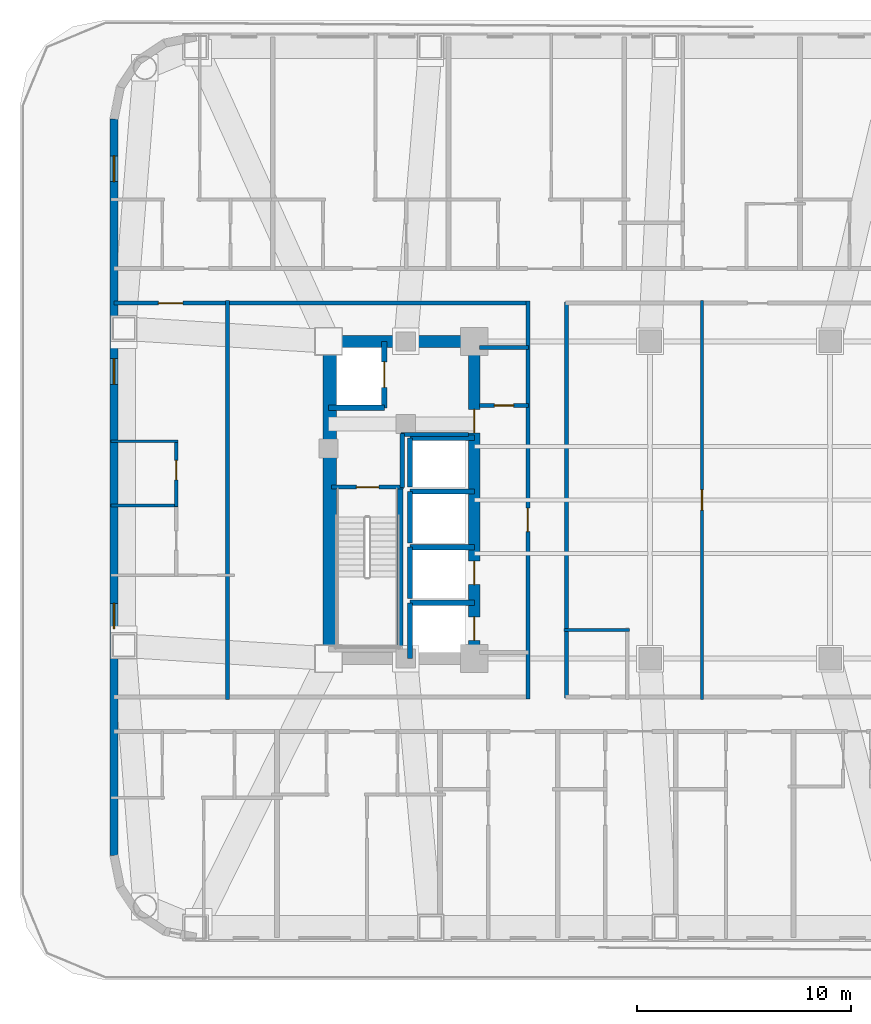
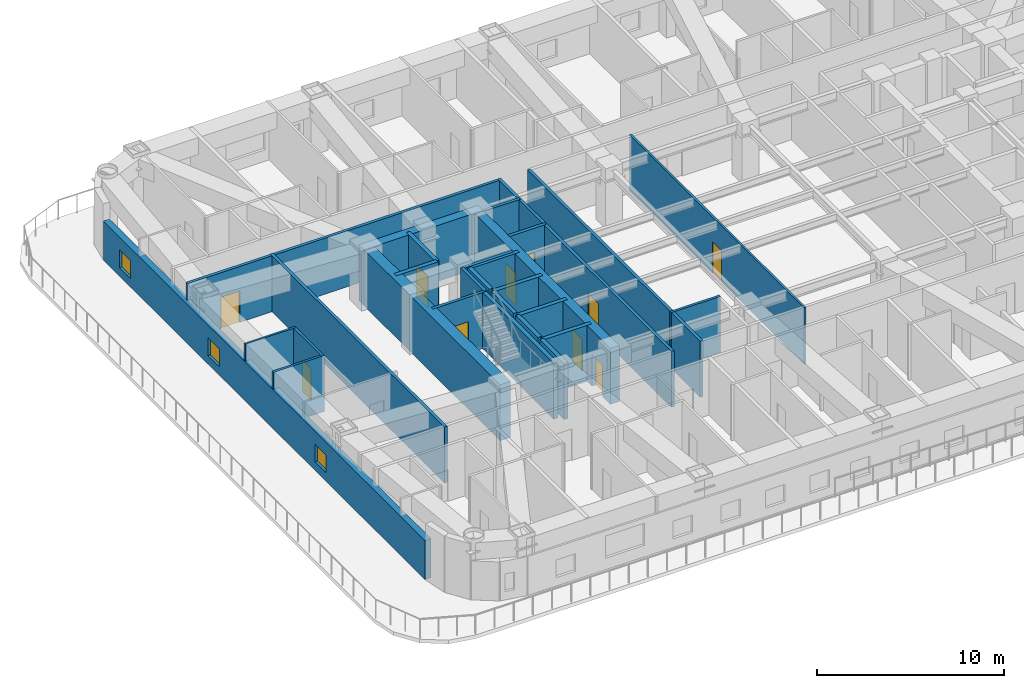
# One storey, part 7 of 18: 29 walls, 10 doors, 3 windows, 13 openings.
"""IFC4 building model written with IfcOpenShell, lengths in metres."""

from ifc_helpers import new_model, si_unit, direction, frame, frame_2d, origin, place, context, subcontext, project, spatial, rectangle, extrude, material, layer, layer_set, type_object, element, fill, save


model = new_model("IFC4")

# Units and contexts
model_context = context("Model", 3, precision=1e-05, world=origin(), true_north=direction((0.0, 1.0)))
body_context = subcontext(model_context, "Body", "Model", "MODEL_VIEW")
ifc_project = project(units=[si_unit("LENGTHUNIT", "METRE"), si_unit("AREAUNIT", "SQUARE_METRE"), si_unit("VOLUMEUNIT", "CUBIC_METRE"), si_unit("PLANEANGLEUNIT", "RADIAN"), si_unit("MASSUNIT", "GRAM", prefix="KILO")], contexts=[model_context])

# Site, building, storey
site_placement = place(None, origin())
site = spatial("IfcSite", under=ifc_project, at=site_placement, CompositionType="ELEMENT")
building_placement = place(site_placement, origin())
building = spatial("IfcBuilding", under=site, at=building_placement, Name="Voryun Gate Residences", CompositionType="ELEMENT")
storey_placement = place(building_placement, frame((0.0, 0.0, 85.800048828125)))
storey = spatial("IfcBuildingStorey", under=building, at=storey_placement, Name="L20", CompositionType="ELEMENT", Elevation=85.800048828125)

# Wall
ifc_material_1 = material(Name="Concrete C60/75", Category="concrete")
ifc_layer_1 = layer(ifc_material_1, 0.550048828125, Name="CW_CORE_550")
ifc_layer_set_1 = layer_set([ifc_layer_1], Name="Concrete C60/75")
wall_type_1 = type_object("IfcWallType", Name="CW_CORE_550", PredefinedType="SHEAR", material=ifc_layer_set_1)
wall_1_placement = place(storey_placement, frame((-19.47509765625, 7.39990234375, 0.0), z_axis=(0.0, 0.0, 1.0), x_axis=(1.0, 0.0, 0.0)))
element("IfcWall", 1, at=wall_1_placement, inside=storey, type_object=wall_type_1, Name="L20 Core shear wall CW-L20-WN", PredefinedType="SHEAR", context=body_context, shape_type="SweptSolid", body=[
    extrude(rectangle(XDim=7.35009765625, YDim=0.550048828125, at=frame_2d((3.675048828125, 0.0))), origin(), (0.0, 0.0, 1.0), 3.64990234375),
])

# Wall, openings, doors
wall_2_placement = place(storey_placement, frame((-12.39990234375, -7.39990234375, 0.0), z_axis=(0.0, 0.0, 1.0), x_axis=(0.0, 1.0, 0.0)))
wall_2 = element("IfcWall", 2, at=wall_2_placement, inside=storey, type_object=wall_type_1, Name="L20 Core shear wall CW-L20-WE", PredefinedType="SHEAR", context=body_context, shape_type="SweptSolid", body=[
    extrude(rectangle(XDim=14.7998046875, YDim=0.550048828125, at=frame_2d((7.39990234375, 0.0))), origin(), (0.0, 0.0, 1.0), 3.64990234375),
])
opening_1_placement = place(wall_2_placement, frame((0.85009765625, 0.0, 0.0)))
opening_1 = element("IfcOpeningElement", 3, at=opening_1_placement, cuts=wall_2, Name="Opening LD2", PredefinedType="OPENING", context=body_context, shape_type="SweptSolid", body=[
    extrude(rectangle(XDim=1.10009765625, YDim=2.050048828125, at=frame_2d((0.550048828125, 1.02490234375))), frame((0.0, 0.284912109375, 0.0), z_axis=(0.0, -1.0, 0.0), x_axis=(1.0, 0.0, 0.0)), (0.0, 0.0, 1.0), 0.570068359375),
])
opening_2_placement = place(wall_2_placement, frame((3.449951171875, 0.0, 0.0)))
opening_2 = element("IfcOpeningElement", 4, at=opening_2_placement, cuts=wall_2, Name="Opening LD2", PredefinedType="OPENING", context=body_context, shape_type="SweptSolid", body=[
    extrude(rectangle(XDim=1.10009765625, YDim=2.050048828125, at=frame_2d((0.550048828125, 1.02490234375))), frame((0.0, 0.284912109375, 0.0), z_axis=(0.0, -1.0, 0.0), x_axis=(1.0, 0.0, 0.0)), (0.0, 0.0, 1.0), 0.570068359375),
])
opening_3_placement = place(wall_2_placement, frame((10.530029296875, 0.0, 0.0)))
opening_3 = element("IfcOpeningElement", 5, at=opening_3_placement, cuts=wall_2, Name="Opening D-FD60-2", PredefinedType="OPENING", context=body_context, shape_type="SweptSolid", body=[
    extrude(rectangle(XDim=1.10009765625, YDim=2.050048828125, at=frame_2d((0.550048828125, 1.02490234375))), frame((0.0, 0.284912109375, 0.0), z_axis=(0.0, -1.0, 0.0), x_axis=(1.0, 0.0, 0.0)), (0.0, 0.0, 1.0), 0.570068359375),
])
ifc_material_2 = material(Name="Painted steel fire door", Category="steel")
door_type_1 = type_object("IfcDoorType", Name="DR_FD60_FFLOB_1100", OperationType="NOTDEFINED", PredefinedType="DOOR", material=ifc_material_2)
door_1_placement = place(opening_3_placement, origin())
door_1 = element("IfcDoor", 6, at=door_1_placement, inside=storey, type_object=door_type_1, Name="Door DR-L20-CLOB-W", OperationType="SINGLE_SWING_LEFT", OverallHeight=2.050048828125, OverallWidth=1.10009765625, PredefinedType="DOOR", context=body_context, shape_type="SweptSolid", body=[
    extrude(rectangle(XDim=1.10009765625, YDim=2.050048828125, at=frame_2d((0.550048828125, 1.02490234375))), frame((0.0, 0.02490234375, 0.0), z_axis=(0.0, -1.0, 0.0), x_axis=(1.0, 0.0, 0.0)), (0.0, 0.0, 1.0), 0.050048828125),
])
fill(opening_3, door_1)
ifc_material_3 = material(Name="Anodised aluminium", Category="aluminium")
door_type_2 = type_object("IfcDoorType", Name="DR_LD_PASS_1100", OperationType="NOTDEFINED", PredefinedType="DOOR", material=ifc_material_3)
door_2_placement = place(opening_1_placement, origin())
door_2 = element("IfcDoor", 7, at=door_2_placement, inside=storey, type_object=door_type_2, Name="Lift EL-P1 sliding landing door L20", OperationType="SLIDING_TO_LEFT", OverallHeight=2.050048828125, OverallWidth=1.10009765625, PredefinedType="DOOR", context=body_context, shape_type="SweptSolid", body=[
    extrude(rectangle(XDim=1.10009765625, YDim=2.050048828125, at=frame_2d((0.550048828125, 1.02490234375))), frame((0.0, 0.02490234375, 0.0), z_axis=(0.0, -1.0, 0.0), x_axis=(1.0, 0.0, 0.0)), (0.0, 0.0, 1.0), 0.050048828125),
])
fill(opening_1, door_2)
door_3_placement = place(opening_2_placement, origin())
door_3 = element("IfcDoor", 8, at=door_3_placement, inside=storey, type_object=door_type_2, Name="Lift EL-P2 sliding landing door L20", OperationType="SLIDING_TO_LEFT", OverallHeight=2.050048828125, OverallWidth=1.10009765625, PredefinedType="DOOR", context=body_context, shape_type="SweptSolid", body=[
    extrude(rectangle(XDim=1.10009765625, YDim=2.050048828125, at=frame_2d((0.550048828125, 1.02490234375))), frame((0.0, 0.02490234375, 0.0), z_axis=(0.0, -1.0, 0.0), x_axis=(1.0, 0.0, 0.0)), (0.0, 0.0, 1.0), 0.050048828125),
])
fill(opening_2, door_3)

# Wall
ifc_material_4 = material(Name="Concrete C60/75", Category="concrete")
ifc_layer_2 = layer(ifc_material_4, 0.64990234375, Name="CW_CORE_650")
ifc_layer_set_2 = layer_set([ifc_layer_2], Name="Concrete C60/75")
wall_type_2 = type_object("IfcWallType", Name="CW_CORE_650", PredefinedType="SHEAR", material=ifc_layer_set_2)
wall_3_placement = place(storey_placement, frame((-19.14501953125, -7.39990234375, 0.0), z_axis=(0.0, 0.0, 1.0), x_axis=(0.0, 1.0, 0.0)))
element("IfcWall", 9, at=wall_3_placement, inside=storey, type_object=wall_type_2, Name="L20 Core shear wall CW-L20-WW", PredefinedType="SHEAR", context=body_context, shape_type="SweptSolid", body=[
    extrude(rectangle(XDim=14.7998046875, YDim=0.64990234375, at=frame_2d((7.39990234375, 0.0))), origin(), (0.0, 0.0, 1.0), 3.64990234375),
])

# Wall, opening, door
ifc_material_5 = material(Name="Gypsum acoustic fireboard")
ifc_layer_3 = layer(ifc_material_5, 0.179931640625, Name="W_CORR_RATED_180")
ifc_layer_set_3 = layer_set([ifc_layer_3], Name="Gypsum acoustic fireboard")
wall_type_3 = type_object("IfcWallType", Name="W_CORR_RATED_180", PredefinedType="PARTITIONING", material=ifc_layer_set_3)
wall_4_placement = place(storey_placement, frame((-19.06005859375, 0.60009765625, 0.0), z_axis=(0.0, 0.0, 1.0), x_axis=(1.0, 0.0, 0.0)))
wall_4 = element("IfcWall", 10, at=wall_4_placement, inside=storey, type_object=wall_type_3, Name="Partition wall WP-L20-STV-W", PredefinedType="PARTITIONING", context=body_context, shape_type="SweptSolid", body=[
    extrude(rectangle(XDim=3.360107421875, YDim=0.179931640625, at=frame_2d((1.68017578125, 0.0))), origin(), (0.0, 0.0, 1.0), 3.64990234375),
])
opening_4_placement = place(wall_4_placement, frame((1.155029296875, 0.0, 0.0)))
opening_4 = element("IfcOpeningElement", 11, at=opening_4_placement, cuts=wall_4, Name="Opening D-FD60-1", PredefinedType="OPENING", context=body_context, shape_type="SweptSolid", body=[
    extrude(rectangle(XDim=1.050048828125, YDim=2.050048828125, at=frame_2d((0.52490234375, 1.02490234375))), frame((0.0, 0.099853515625, 0.0), z_axis=(0.0, -1.0, 0.0), x_axis=(1.0, 0.0, 0.0)), (0.0, 0.0, 1.0), 0.199951171875),
])
ifc_material_6 = material(Name="Painted steel fire door", Category="steel")
door_type_3 = type_object("IfcDoorType", Name="DR_FD60_STAIR_1050", OperationType="NOTDEFINED", PredefinedType="DOOR", material=ifc_material_6)
door_4_placement = place(opening_4_placement, origin())
door_4 = element("IfcDoor", 12, at=door_4_placement, inside=storey, type_object=door_type_3, Name="Door DR-L20-ST-W", OperationType="SINGLE_SWING_LEFT", OverallHeight=2.050048828125, OverallWidth=1.050048828125, PredefinedType="DOOR", context=body_context, shape_type="SweptSolid", body=[
    extrude(rectangle(XDim=1.050048828125, YDim=2.050048828125, at=frame_2d((0.52490234375, 1.02490234375))), frame((0.0, 0.02490234375, 0.0), z_axis=(0.0, -1.0, 0.0), x_axis=(1.0, 0.0, 0.0)), (0.0, 0.0, 1.0), 0.050048828125),
])
fill(opening_4, door_4)

# Wall
wall_5_placement = place(storey_placement, frame((-12.14990234375, 7.1201171875, 0.0), z_axis=(0.0, 0.0, 1.0), x_axis=(1.0, 0.0, 0.0)))
element("IfcWall", 13, at=wall_5_placement, inside=storey, type_object=wall_type_3, Name="Partition wall WP-L20-PLBN-W", PredefinedType="PARTITIONING", context=body_context, shape_type="SweptSolid", body=[
    extrude(rectangle(XDim=2.27001953125, YDim=0.179931640625, at=frame_2d((1.135009765625, 0.0))), origin(), (0.0, 0.0, 1.0), 3.64990234375),
])

# Wall, opening, door
wall_6_placement = place(storey_placement, frame((-9.89990234375, -9.280029296875, 0.0), z_axis=(0.0, 0.0, 1.0), x_axis=(0.0, 1.0, 0.0)))
wall_6 = element("IfcWall", 14, at=wall_6_placement, inside=storey, type_object=wall_type_3, Name="Partition wall WP-L20-PLBW-FULL", PredefinedType="PARTITIONING", context=body_context, shape_type="SweptSolid", body=[
    extrude(rectangle(XDim=18.56005859375, YDim=0.179931640625, at=frame_2d((9.280029296875, 0.0))), origin(), (0.0, 0.0, 1.0), 3.64990234375),
])
opening_5_placement = place(wall_6_placement, frame((7.802001953125, 0.0, 0.0)))
opening_5 = element("IfcOpeningElement", 15, at=opening_5_placement, cuts=wall_6, Name="Opening D-FD60-2", PredefinedType="OPENING", context=body_context, shape_type="SweptSolid", body=[
    extrude(rectangle(XDim=1.10009765625, YDim=2.050048828125, at=frame_2d((0.550048828125, 1.02490234375))), frame((0.0, 0.099853515625, 0.0), z_axis=(0.0, -1.0, 0.0), x_axis=(1.0, 0.0, 0.0)), (0.0, 0.0, 1.0), 0.199951171875),
])
door_5_placement = place(opening_5_placement, origin())
door_5 = element("IfcDoor", 16, at=door_5_placement, inside=storey, type_object=door_type_1, Name="Door DR-L20-PLBW-COR", OperationType="SINGLE_SWING_LEFT", OverallHeight=2.050048828125, OverallWidth=1.10009765625, PredefinedType="DOOR", context=body_context, shape_type="SweptSolid", body=[
    extrude(rectangle(XDim=1.10009765625, YDim=2.050048828125, at=frame_2d((0.550048828125, 1.02490234375))), frame((0.0, 0.02490234375, 0.0), z_axis=(0.0, -1.0, 0.0), x_axis=(1.0, 0.0, 0.0)), (0.0, 0.0, 1.0), 0.050048828125),
])
fill(opening_5, door_5)

wall_7_placement = place(storey_placement, frame((-29.2099609375, 9.18994140625, 0.0), z_axis=(0.0, 0.0, 1.0), x_axis=(1.0, 0.0, 0.0)))
wall_7 = element("IfcWall", 17, at=wall_7_placement, inside=storey, type_object=wall_type_3, Name="Partition wall WP-L20-CWING-WN", PredefinedType="PARTITIONING", context=body_context, shape_type="SweptSolid", body=[
    extrude(rectangle(XDim=19.330078125, YDim=0.179931640625, at=frame_2d((9.6650390625, 0.0))), origin(), (0.0, 0.0, 1.0), 3.64990234375),
])
opening_6_placement = place(wall_7_placement, frame((2.0654296875, 0.0, 0.0)))
opening_6 = element("IfcOpeningElement", 18, at=opening_6_placement, cuts=wall_7, Name="Opening D-UNIT-1", PredefinedType="OPENING", context=body_context, shape_type="SweptSolid", body=[
    extrude(rectangle(XDim=1.14990234375, YDim=2.050048828125, at=frame_2d((0.574951171875, 1.02490234375))), frame((0.0, 0.099853515625, 0.0), z_axis=(0.0, -1.0, 0.0), x_axis=(1.0, 0.0, 0.0)), (0.0, 0.0, 1.0), 0.199951171875),
])
ifc_material_7 = material(Name="Armoured timber-clad fire door", Category="wood")
door_type_4 = type_object("IfcDoorType", Name="DR_UNIT_ENTRY_1150", OperationType="NOTDEFINED", PredefinedType="DOOR", material=ifc_material_7)
door_6_placement = place(opening_6_placement, origin())
door_6 = element("IfcDoor", 19, at=door_6_placement, inside=storey, type_object=door_type_4, Name="Door DR-L20-WE1N", OperationType="SINGLE_SWING_LEFT", OverallHeight=2.050048828125, OverallWidth=1.14990234375, PredefinedType="DOOR", context=body_context, shape_type="SweptSolid", body=[
    extrude(rectangle(XDim=1.14990234375, YDim=2.050048828125, at=frame_2d((0.574951171875, 1.02490234375))), frame((0.0, 0.02490234375, 0.0), z_axis=(0.0, -1.0, 0.0), x_axis=(1.0, 0.0, 0.0)), (0.0, 0.0, 1.0), 0.050048828125),
])
fill(opening_6, door_6)

# Walls
wall_8_placement = place(storey_placement, frame((-8.10009765625, -9.22998046875, 0.0), z_axis=(0.0, 0.0, 1.0), x_axis=(0.0, 1.0, 0.0)))
element("IfcWall", 20, at=wall_8_placement, inside=storey, type_object=wall_type_3, Name="Partition wall WP-L20-Z1W", PredefinedType="PARTITIONING", context=body_context, shape_type="SweptSolid", body=[
    extrude(rectangle(XDim=18.4599609375, YDim=0.179931640625, at=frame_2d((9.22998046875, 0.0))), origin(), (0.0, 0.0, 1.0), 3.64990234375),
])
wall_9_placement = place(storey_placement, frame((-23.919921875, -9.31005859375, 0.0), z_axis=(0.0, 0.0, 1.0), x_axis=(0.0, 1.0, 0.0)))
element("IfcWall", 21, at=wall_9_placement, inside=storey, type_object=wall_type_3, Name="Partition wall WP-L20-WCOR", PredefinedType="PARTITIONING", context=body_context, shape_type="SweptSolid", body=[
    extrude(rectangle(XDim=18.6201171875, YDim=0.179931640625, at=frame_2d((9.31005859375, 0.0))), origin(), (0.0, 0.0, 1.0), 3.64990234375),
])

# Wall, openings, windows
ifc_material_8 = material(Name="Granite masonry", Category="masonry")
ifc_layer_4 = layer(ifc_material_8, 0.3798828125, Name="W_EXT_GRANITE_380")
ifc_layer_set_4 = layer_set([ifc_layer_4], Name="Granite masonry")
wall_type_4 = type_object("IfcWallType", Name="W_EXT_GRANITE_380", PredefinedType="ELEMENTEDWALL", material=ifc_layer_set_4)
wall_10_placement = place(storey_placement, frame((-29.2099609375, -16.581298828125, 0.0), z_axis=(0.0, 0.0, 1.0), x_axis=(0.0, 1.0, 0.0)))
wall_10 = element("IfcWall", 22, at=wall_10_placement, inside=storey, type_object=wall_type_4, Name="Exterior wall WEXT-L20-06", PredefinedType="ELEMENTEDWALL", context=body_context, shape_type="SweptSolid", body=[
    extrude(rectangle(XDim=34.362548828125, YDim=0.3798828125, at=frame_2d((17.18115234375, 0.0))), origin(), (0.0, 0.0, 1.0), 2.5400390625),
])
opening_7_placement = place(wall_10_placement, frame((31.43701171875, 0.0, 0.550048828125)))
opening_7 = element("IfcOpeningElement", 23, at=opening_7_placement, cuts=wall_10, Name="Opening WN6", PredefinedType="OPENING", context=body_context, shape_type="SweptSolid", body=[
    extrude(rectangle(XDim=1.199951171875, YDim=1.14990234375, at=frame_2d((0.60009765625, 0.574951171875))), frame((0.0, 0.199951171875, 0.0), z_axis=(0.0, -1.0, 0.0), x_axis=(1.0, 0.0, 0.0)), (0.0, 0.0, 1.0), 0.39990234375),
])
opening_8_placement = place(wall_10_placement, frame((21.976318359375, 0.0, 0.550048828125)))
opening_8 = element("IfcOpeningElement", 24, at=opening_8_placement, cuts=wall_10, Name="Opening WN6", PredefinedType="OPENING", context=body_context, shape_type="SweptSolid", body=[
    extrude(rectangle(XDim=1.199951171875, YDim=1.14990234375, at=frame_2d((0.60009765625, 0.574951171875))), frame((0.0, 0.199951171875, 0.0), z_axis=(0.0, -1.0, 0.0), x_axis=(1.0, 0.0, 0.0)), (0.0, 0.0, 1.0), 0.39990234375),
])
opening_9_placement = place(wall_10_placement, frame((10.561279296875, 0.0, 0.550048828125)))
opening_9 = element("IfcOpeningElement", 25, at=opening_9_placement, cuts=wall_10, Name="Opening WN6", PredefinedType="OPENING", context=body_context, shape_type="SweptSolid", body=[
    extrude(rectangle(XDim=1.199951171875, YDim=1.14990234375, at=frame_2d((0.60009765625, 0.574951171875))), frame((0.0, 0.199951171875, 0.0), z_axis=(0.0, -1.0, 0.0), x_axis=(1.0, 0.0, 0.0)), (0.0, 0.0, 1.0), 0.39990234375),
])
ifc_material_9 = material(Name="Laminated low-E glass", Category="glass")
window_type = type_object("IfcWindowType", Name="WN_POD_SLOT_1200", PartitioningType="SINGLE_PANEL", PredefinedType="WINDOW", material=ifc_material_9)
window_1_placement = place(opening_7_placement, origin())
window_1 = element("IfcWindow", 26, at=window_1_placement, inside=storey, type_object=window_type, Name="Window WN-L20-DWFIX-01", OverallHeight=1.14990234375, OverallWidth=1.199951171875, PartitioningType="SINGLE_PANEL", PredefinedType="WINDOW", context=body_context, shape_type="SweptSolid", body=[
    extrude(rectangle(XDim=1.199951171875, YDim=1.14990234375, at=frame_2d((0.60009765625, 0.574951171875))), frame((0.0, 0.030029296875, 0.0), z_axis=(0.0, -1.0, 0.0), x_axis=(1.0, 0.0, 0.0)), (0.0, 0.0, 1.0), 0.06005859375),
])
fill(opening_7, window_1)
window_2_placement = place(opening_8_placement, origin())
window_2 = element("IfcWindow", 27, at=window_2_placement, inside=storey, type_object=window_type, Name="Window WN-L20-DWFIX-29", OverallHeight=1.14990234375, OverallWidth=1.199951171875, PartitioningType="SINGLE_PANEL", PredefinedType="WINDOW", context=body_context, shape_type="SweptSolid", body=[
    extrude(rectangle(XDim=1.199951171875, YDim=1.14990234375, at=frame_2d((0.60009765625, 0.574951171875))), frame((0.0, 0.030029296875, 0.0), z_axis=(0.0, -1.0, 0.0), x_axis=(1.0, 0.0, 0.0)), (0.0, 0.0, 1.0), 0.06005859375),
])
fill(opening_8, window_2)
window_3_placement = place(opening_9_placement, origin())
window_3 = element("IfcWindow", 28, at=window_3_placement, inside=storey, type_object=window_type, Name="Window WN-L20-DWFIX-30", OverallHeight=1.14990234375, OverallWidth=1.199951171875, PartitioningType="SINGLE_PANEL", PredefinedType="WINDOW", context=body_context, shape_type="SweptSolid", body=[
    extrude(rectangle(XDim=1.199951171875, YDim=1.14990234375, at=frame_2d((0.60009765625, 0.574951171875))), frame((0.0, 0.030029296875, 0.0), z_axis=(0.0, -1.0, 0.0), x_axis=(1.0, 0.0, 0.0)), (0.0, 0.0, 1.0), 0.06005859375),
])
fill(opening_9, window_3)

# Walls
ifc_material_10 = material(Name="Concrete C40/50", Category="concrete")
ifc_layer_5 = layer(ifc_material_10, 0.199951171875, Name="W_FF_LOBBY_200")
ifc_layer_set_5 = layer_set([ifc_layer_5], Name="Concrete C40/50")
wall_type_5 = type_object("IfcWallType", Name="W_FF_LOBBY_200", PredefinedType="PARTITIONING", material=ifc_layer_set_5)
wall_11_placement = place(storey_placement, frame((-15.760009765625, 0.580078125, 0.0), z_axis=(0.0, 0.0, 1.0), x_axis=(0.0, 1.0, 0.0)))
element("IfcWall", 29, at=wall_11_placement, inside=storey, type_object=wall_type_5, Name="Partition wall WP-L20-FFP0-W", PredefinedType="PARTITIONING", context=body_context, shape_type="SweptSolid", body=[
    extrude(rectangle(XDim=2.52001953125, YDim=0.199951171875, at=frame_2d((1.260009765625, 0.0))), origin(), (0.0, 0.0, 1.0), 3.64990234375),
])
wall_12_placement = place(storey_placement, frame((-15.820068359375, 3.06005859375, 0.0), z_axis=(0.0, 0.0, 1.0), x_axis=(1.0, 0.0, 0.0)))
element("IfcWall", 30, at=wall_12_placement, inside=storey, type_object=wall_type_5, Name="Partition wall WP-L20-FFPS-W", PredefinedType="PARTITIONING", context=body_context, shape_type="SweptSolid", body=[
    extrude(rectangle(XDim=3.16015625, YDim=0.199951171875, at=frame_2d((1.580078125, 0.0))), origin(), (0.0, 0.0, 1.0), 3.64990234375),
])

# Wall, opening, door
wall_13_placement = place(storey_placement, frame((-12.14990234375, 4.409912109375, 0.0), z_axis=(0.0, 0.0, 1.0), x_axis=(1.0, 0.0, 0.0)))
wall_13 = element("IfcWall", 31, at=wall_13_placement, inside=storey, type_object=wall_type_5, Name="Partition wall WP-L20-CSFLKS-W", PredefinedType="PARTITIONING", context=body_context, shape_type="SweptSolid", body=[
    extrude(rectangle(XDim=2.27001953125, YDim=0.199951171875, at=frame_2d((1.135009765625, 0.0))), origin(), (0.0, 0.0, 1.0), 3.64990234375),
])
opening_10_placement = place(wall_13_placement, frame((0.68505859375, 0.0, 0.0)))
opening_10 = element("IfcOpeningElement", 32, at=opening_10_placement, cuts=wall_13, Name="Opening D-FD60-4", PredefinedType="OPENING", context=body_context, shape_type="SweptSolid", body=[
    extrude(rectangle(XDim=0.89990234375, YDim=2.050048828125, at=frame_2d((0.449951171875, 1.02490234375))), frame((0.0, 0.110107421875, 0.0), z_axis=(0.0, -1.0, 0.0), x_axis=(1.0, 0.0, 0.0)), (0.0, 0.0, 1.0), 0.219970703125),
])
ifc_material_11 = material(Name="Painted steel fire door", Category="steel")
door_type_5 = type_object("IfcDoorType", Name="DR_FD60_RISER_900", OperationType="NOTDEFINED", PredefinedType="DOOR", material=ifc_material_11)
door_7_placement = place(opening_10_placement, origin())
door_7 = element("IfcDoor", 33, at=door_7_placement, inside=storey, type_object=door_type_5, Name="Door DR-L20-CSFLK-W", OperationType="SINGLE_SWING_LEFT", OverallHeight=2.050048828125, OverallWidth=0.89990234375, PredefinedType="DOOR", context=body_context, shape_type="SweptSolid", body=[
    extrude(rectangle(XDim=0.89990234375, YDim=2.050048828125, at=frame_2d((0.449951171875, 1.02490234375))), frame((0.0, 0.02490234375, 0.0), z_axis=(0.0, -1.0, 0.0), x_axis=(1.0, 0.0, 0.0)), (0.0, 0.0, 1.0), 0.050048828125),
])
fill(opening_10, door_7)

# Walls
ifc_material_12 = material(Name="Concrete C50/60", Category="concrete")
ifc_layer_6 = layer(ifc_material_12, 0.25, Name="W_SHAFT_RC250")
ifc_layer_set_6 = layer_set([ifc_layer_6], Name="Concrete C50/60")
wall_type_6 = type_object("IfcWallType", Name="W_SHAFT_RC250", PredefinedType="SOLIDWALL", material=ifc_layer_set_6)
wall_14_placement = place(storey_placement, frame((-15.860107421875, -7.0849609375, 0.0), z_axis=(0.0, 0.0, 1.0), x_axis=(0.0, 1.0, 0.0)))
element("IfcWall", 34, at=wall_14_placement, inside=storey, type_object=wall_type_6, Name="L20 Stair shaft structural wall W-STR", PredefinedType="SOLIDWALL", context=body_context, shape_type="SweptSolid", body=[
    extrude(rectangle(XDim=7.68505859375, YDim=0.25, at=frame_2d((3.842529296875, 0.0))), origin(), (0.0, 0.0, 1.0), 3.64990234375),
])
wall_15_placement = place(storey_placement, frame((-19.199951171875, 4.300048828125, 0.0), z_axis=(0.0, 0.0, 1.0), x_axis=(1.0, 0.0, 0.0)))
element("IfcWall", 35, at=wall_15_placement, inside=storey, type_object=wall_type_6, Name="Lift shaft wall WSH-L20-EL-FF-W1-S", PredefinedType="SOLIDWALL", context=body_context, shape_type="SweptSolid", body=[
    extrude(rectangle(XDim=2.599853515625, YDim=0.25, at=frame_2d((1.2998046875, 0.0))), origin(), (0.0, 0.0, 1.0), 3.64990234375),
])

# Wall, opening, door
wall_16_placement = place(storey_placement, frame((-16.60009765625, 4.300048828125, 0.0), z_axis=(0.0, 0.0, 1.0), x_axis=(0.0, 1.0, 0.0)))
wall_16 = element("IfcWall", 36, at=wall_16_placement, inside=storey, type_object=wall_type_6, Name="Lift shaft wall WSH-L20-EL-FF-W1-E", PredefinedType="SOLIDWALL", context=body_context, shape_type="SweptSolid", body=[
    extrude(rectangle(XDim=3.099853515625, YDim=0.25, at=frame_2d((1.5498046875, 0.0))), origin(), (0.0, 0.0, 1.0), 3.64990234375),
])
opening_11_placement = place(wall_16_placement, frame((0.949951171875, 0.0, 0.0)))
opening_11 = element("IfcOpeningElement", 37, at=opening_11_placement, cuts=wall_16, Name="Opening LD1", PredefinedType="OPENING", context=body_context, shape_type="SweptSolid", body=[
    extrude(rectangle(XDim=1.199951171875, YDim=2.050048828125, at=frame_2d((0.60009765625, 1.02490234375))), frame((0.0, 0.135009765625, 0.0), z_axis=(0.0, -1.0, 0.0), x_axis=(1.0, 0.0, 0.0)), (0.0, 0.0, 1.0), 0.27001953125),
])
ifc_material_13 = material(Name="Anodised aluminium", Category="aluminium")
door_type_6 = type_object("IfcDoorType", Name="DR_LD_FF_1200", OperationType="NOTDEFINED", PredefinedType="DOOR", material=ifc_material_13)
door_8_placement = place(opening_11_placement, origin())
door_8 = element("IfcDoor", 38, at=door_8_placement, inside=storey, type_object=door_type_6, Name="Lift EL-FF-W1 sliding landing door L20", OperationType="SLIDING_TO_LEFT", OverallHeight=2.050048828125, OverallWidth=1.199951171875, PredefinedType="DOOR", context=body_context, shape_type="SweptSolid", body=[
    extrude(rectangle(XDim=1.199951171875, YDim=2.050048828125, at=frame_2d((0.60009765625, 1.02490234375))), frame((0.0, 0.02490234375, 0.0), z_axis=(0.0, -1.0, 0.0), x_axis=(1.0, 0.0, 0.0)), (0.0, 0.0, 1.0), 0.050048828125),
])
fill(opening_11, door_8)

# Walls
wall_17_placement = place(storey_placement, frame((-12.39990234375, -4.800048828125, 0.0), z_axis=(0.0, 0.0, 1.0), x_axis=(-1.0, 0.0, 0.0)))
element("IfcWall", 39, at=wall_17_placement, inside=storey, type_object=wall_type_6, Name="Lift shaft wall WSH-L20-EL-P1-N", PredefinedType="SOLIDWALL", context=body_context, shape_type="SweptSolid", body=[
    extrude(rectangle(XDim=3.0, YDim=0.25, at=frame_2d((1.5, 0.0))), origin(), (0.0, 0.0, 1.0), 3.64990234375),
])
wall_18_placement = place(storey_placement, frame((-15.39990234375, -4.800048828125, 0.0), z_axis=(0.0, 0.0, 1.0), x_axis=(0.0, -1.0, 0.0)))
element("IfcWall", 40, at=wall_18_placement, inside=storey, type_object=wall_type_6, Name="Lift shaft wall WSH-L20-EL-P1-W", PredefinedType="SOLIDWALL", context=body_context, shape_type="SweptSolid", body=[
    extrude(rectangle(XDim=2.599853515625, YDim=0.25, at=frame_2d((1.2998046875, 0.0))), origin(), (0.0, 0.0, 1.0), 3.64990234375),
])
wall_19_placement = place(storey_placement, frame((-12.39990234375, -2.199951171875, 0.0), z_axis=(0.0, 0.0, 1.0), x_axis=(-1.0, 0.0, 0.0)))
element("IfcWall", 41, at=wall_19_placement, inside=storey, type_object=wall_type_6, Name="Lift shaft wall WSH-L20-EL-P2-N", PredefinedType="SOLIDWALL", context=body_context, shape_type="SweptSolid", body=[
    extrude(rectangle(XDim=3.0, YDim=0.25, at=frame_2d((1.5, 0.0))), origin(), (0.0, 0.0, 1.0), 3.64990234375),
])
wall_20_placement = place(storey_placement, frame((-15.39990234375, -2.199951171875, 0.0), z_axis=(0.0, 0.0, 1.0), x_axis=(0.0, -1.0, 0.0)))
element("IfcWall", 42, at=wall_20_placement, inside=storey, type_object=wall_type_6, Name="Lift shaft wall WSH-L20-EL-P2-W", PredefinedType="SOLIDWALL", context=body_context, shape_type="SweptSolid", body=[
    extrude(rectangle(XDim=2.400146484375, YDim=0.25, at=frame_2d((1.2001953125, 0.0))), origin(), (0.0, 0.0, 1.0), 3.64990234375),
])
wall_21_placement = place(storey_placement, frame((-12.39990234375, 0.39990234375, 0.0), z_axis=(0.0, 0.0, 1.0), x_axis=(-1.0, 0.0, 0.0)))
element("IfcWall", 43, at=wall_21_placement, inside=storey, type_object=wall_type_6, Name="Lift shaft wall WSH-L20-EL-P4-N", PredefinedType="SOLIDWALL", context=body_context, shape_type="SweptSolid", body=[
    extrude(rectangle(XDim=3.0, YDim=0.25, at=frame_2d((1.5, 0.0))), origin(), (0.0, 0.0, 1.0), 3.64990234375),
])
wall_22_placement = place(storey_placement, frame((-15.39990234375, 0.39990234375, 0.0), z_axis=(0.0, 0.0, 1.0), x_axis=(0.0, -1.0, 0.0)))
element("IfcWall", 44, at=wall_22_placement, inside=storey, type_object=wall_type_6, Name="Lift shaft wall WSH-L20-EL-P4-W", PredefinedType="SOLIDWALL", context=body_context, shape_type="SweptSolid", body=[
    extrude(rectangle(XDim=2.39990234375, YDim=0.25, at=frame_2d((1.199951171875, 0.0))), origin(), (0.0, 0.0, 1.0), 3.64990234375),
])
wall_23_placement = place(storey_placement, frame((-12.39990234375, 2.89990234375, 0.0), z_axis=(0.0, 0.0, 1.0), x_axis=(-1.0, 0.0, 0.0)))
element("IfcWall", 45, at=wall_23_placement, inside=storey, type_object=wall_type_6, Name="Lift shaft wall WSH-L20-EL-P7-N", PredefinedType="SOLIDWALL", context=body_context, shape_type="SweptSolid", body=[
    extrude(rectangle(XDim=3.0, YDim=0.25, at=frame_2d((1.5, 0.0))), origin(), (0.0, 0.0, 1.0), 3.64990234375),
])
wall_24_placement = place(storey_placement, frame((-15.39990234375, 2.89990234375, 0.0), z_axis=(0.0, 0.0, 1.0), x_axis=(0.0, -1.0, 0.0)))
element("IfcWall", 46, at=wall_24_placement, inside=storey, type_object=wall_type_6, Name="Lift shaft wall WSH-L20-EL-P7-W", PredefinedType="SOLIDWALL", context=body_context, shape_type="SweptSolid", body=[
    extrude(rectangle(XDim=2.2998046875, YDim=0.25, at=frame_2d((1.14990234375, 0.0))), origin(), (0.0, 0.0, 1.0), 3.64990234375),
])

# Wall, opening, door
ifc_material_14 = material(Name="Gypsum acoustic partition")
ifc_layer_7 = layer(ifc_material_14, 0.125, Name="W_UNIT_PART_125")
ifc_layer_set_7 = layer_set([ifc_layer_7], Name="Gypsum acoustic partition")
wall_type_7 = type_object("IfcWallType", Name="W_UNIT_PART_125", PredefinedType="PARTITIONING", material=ifc_layer_set_7)
wall_25_placement = place(storey_placement, frame((-1.77294921875, -9.320068359375, 0.0), z_axis=(0.0, 0.0, 1.0), x_axis=(0.0, 1.0, 0.0)))
wall_25 = element("IfcWall", 47, at=wall_25_placement, inside=storey, type_object=wall_type_7, Name="Partition wall WP-L20-MIDX-0", PredefinedType="PARTITIONING", context=body_context, shape_type="SweptSolid", body=[
    extrude(rectangle(XDim=18.64013671875, YDim=0.125, at=frame_2d((9.320068359375, 0.0))), origin(), (0.0, 0.0, 1.0), 3.64990234375),
])
opening_12_placement = place(wall_25_placement, frame((8.844970703125, 0.0, 0.0)))
opening_12 = element("IfcOpeningElement", 48, at=opening_12_placement, cuts=wall_25, Name="Opening D-INT-1", PredefinedType="OPENING", context=body_context, shape_type="SweptSolid", body=[
    extrude(rectangle(XDim=0.949951171875, YDim=2.050048828125, at=frame_2d((0.47509765625, 1.02490234375))), frame((0.0, 0.072509765625, 0.0), z_axis=(0.0, -1.0, 0.0), x_axis=(1.0, 0.0, 0.0)), (0.0, 0.0, 1.0), 0.14501953125),
])
ifc_material_15 = material(Name="Architectural oak veneer")
door_type_7 = type_object("IfcDoorType", Name="DR_INT_ROOM_950", OperationType="NOTDEFINED", PredefinedType="DOOR", material=ifc_material_15)
door_9_placement = place(opening_12_placement, origin())
door_9 = element("IfcDoor", 49, at=door_9_placement, inside=storey, type_object=door_type_7, Name="Door DR-L20-MIDX-0", OperationType="SINGLE_SWING_LEFT", OverallHeight=2.050048828125, OverallWidth=0.949951171875, PredefinedType="DOOR", context=body_context, shape_type="SweptSolid", body=[
    extrude(rectangle(XDim=0.949951171875, YDim=2.050048828125, at=frame_2d((0.47509765625, 1.02490234375))), frame((0.0, 0.02490234375, 0.0), z_axis=(0.0, -1.0, 0.0), x_axis=(1.0, 0.0, 0.0)), (0.0, 0.0, 1.0), 0.050048828125),
])
fill(opening_12, door_9)

# Walls
wall_26_placement = place(storey_placement, frame((-29.360107421875, 2.739990234375, 0.0), z_axis=(0.0, 0.0, 1.0), x_axis=(1.0, 0.0, 0.0)))
element("IfcWall", 50, at=wall_26_placement, inside=storey, type_object=wall_type_7, Name="Partition wall WP-L20-W1-HZ1", PredefinedType="PARTITIONING", context=body_context, shape_type="SweptSolid", body=[
    extrude(rectangle(XDim=3.135986328125, YDim=0.125, at=frame_2d((1.56787109375, 0.0))), origin(), (0.0, 0.0, 1.0), 3.64990234375),
])
ifc_material_16 = material(Name="Gypsum moisture-resistant partition")
ifc_layer_8 = layer(ifc_material_16, 0.14990234375, Name="W_WET_PLUMB_150")
ifc_layer_set_8 = layer_set([ifc_layer_8], Name="Gypsum moisture-resistant partition")
wall_type_8 = type_object("IfcWallType", Name="W_WET_PLUMB_150", PredefinedType="PLUMBINGWALL", material=ifc_layer_set_8)
wall_27_placement = place(storey_placement, frame((-8.2099609375, -6.070068359375, 0.0), z_axis=(0.0, 0.0, 1.0), x_axis=(1.0, 0.0, 0.0)))
element("IfcWall", 51, at=wall_27_placement, inside=storey, type_object=wall_type_8, Name="Partition wall WP-L20-CMWCY", PredefinedType="PLUMBINGWALL", context=body_context, shape_type="SweptSolid", body=[
    extrude(rectangle(XDim=3.050048828125, YDim=0.14990234375, at=frame_2d((1.52490234375, 0.0))), origin(), (0.0, 0.0, 1.0), 3.64990234375),
])
wall_28_placement = place(storey_placement, frame((-29.360107421875, -0.260009765625, 0.0), z_axis=(0.0, 0.0, 1.0), x_axis=(1.0, 0.0, 0.0)))
element("IfcWall", 52, at=wall_28_placement, inside=storey, type_object=wall_type_8, Name="Partition wall WP-L20-W1-HZ2", PredefinedType="PLUMBINGWALL", context=body_context, shape_type="SweptSolid", body=[
    extrude(rectangle(XDim=3.135986328125, YDim=0.14990234375, at=frame_2d((1.56787109375, 0.0))), origin(), (0.0, 0.0, 1.0), 3.64990234375),
])

# Wall, opening, door
wall_29_placement = place(storey_placement, frame((-26.303955078125, -0.300048828125, 0.0), z_axis=(0.0, 0.0, 1.0), x_axis=(0.0, 1.0, 0.0)))
wall_29 = element("IfcWall", 53, at=wall_29_placement, inside=storey, type_object=wall_type_8, Name="Partition wall WP-L20-W1-VKB2", PredefinedType="PLUMBINGWALL", context=body_context, shape_type="SweptSolid", body=[
    extrude(rectangle(XDim=3.080078125, YDim=0.14990234375, at=frame_2d((1.5400390625, 0.0))), origin(), (0.0, 0.0, 1.0), 3.64990234375),
])
opening_13_placement = place(wall_29_placement, frame((1.243896484375, 0.0, 0.0)))
opening_13 = element("IfcOpeningElement", 54, at=opening_13_placement, cuts=wall_29, Name="Opening D-INT-2", PredefinedType="OPENING", context=body_context, shape_type="SweptSolid", body=[
    extrude(rectangle(XDim=0.89990234375, YDim=2.050048828125, at=frame_2d((0.449951171875, 1.02490234375))), frame((0.0, 0.0849609375, 0.0), z_axis=(0.0, -1.0, 0.0), x_axis=(1.0, 0.0, 0.0)), (0.0, 0.0, 1.0), 0.169921875),
])
ifc_material_17 = material(Name="Architectural oak veneer")
door_type_8 = type_object("IfcDoorType", Name="DR_INT_BATH_900", OperationType="NOTDEFINED", PredefinedType="DOOR", material=ifc_material_17)
door_10_placement = place(opening_13_placement, origin())
door_10 = element("IfcDoor", 55, at=door_10_placement, inside=storey, type_object=door_type_8, Name="Door DR-L20-W1-DK", OperationType="SINGLE_SWING_RIGHT", OverallHeight=2.050048828125, OverallWidth=0.89990234375, PredefinedType="DOOR", context=body_context, shape_type="SweptSolid", body=[
    extrude(rectangle(XDim=0.89990234375, YDim=2.050048828125, at=frame_2d((0.449951171875, 1.02490234375))), frame((0.0, 0.02490234375, 0.0), z_axis=(0.0, -1.0, 0.0), x_axis=(1.0, 0.0, 0.0)), (0.0, 0.0, 1.0), 0.050048828125),
])
fill(opening_13, door_10)

save(model, "model.ifc")
